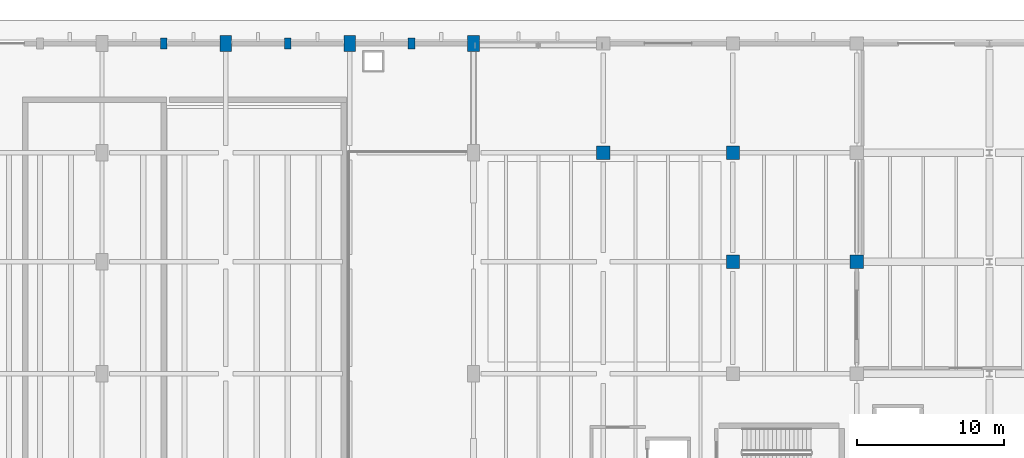
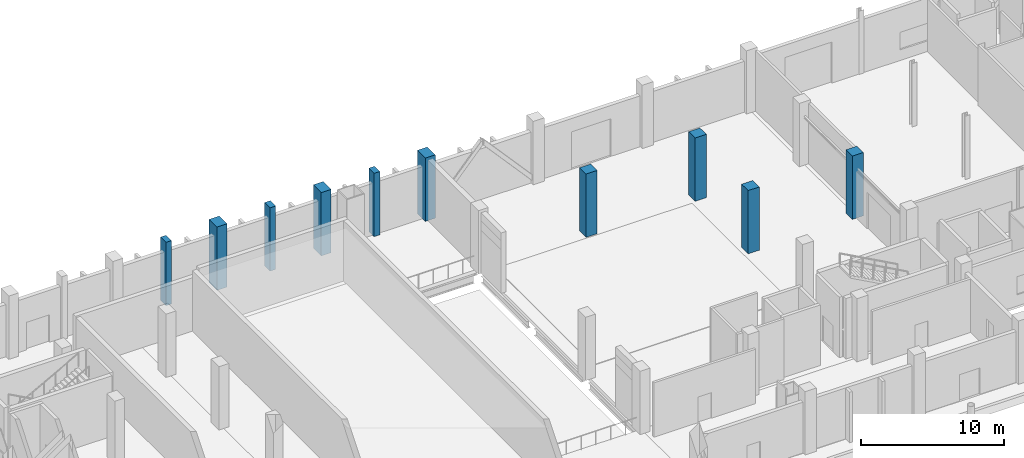
# One storey, part 14 of 95: 10 columns.
"""IFC4 building model written with IfcOpenShell, lengths in metres."""

from ifc_helpers import new_model, si_unit, direction, frame, origin, origin_2d, place, context, subcontext, project, spatial, rectangle, extrude, material, material_profile, profile_set, type_object, element, save


model = new_model("IFC4")

# Units and contexts
model_context = context("Model", 3, precision=1e-05, world=origin(), true_north=direction((0.0, 1.0)))
body_context = subcontext(model_context, "Body", "Model", "MODEL_VIEW")
ifc_project = project(units=[si_unit("LENGTHUNIT", "METRE"), si_unit("AREAUNIT", "SQUARE_METRE"), si_unit("VOLUMEUNIT", "CUBIC_METRE"), si_unit("PLANEANGLEUNIT", "RADIAN"), si_unit("MASSUNIT", "GRAM", prefix="KILO")], contexts=[model_context])

# Site, building, storey
site_placement = place(None, origin())
site = spatial("IfcSite", under=ifc_project, at=site_placement, CompositionType="ELEMENT")
building_placement = place(site_placement, origin())
building = spatial("IfcBuilding", under=site, at=building_placement, Name="Shengluoqiao Park Theatre", CompositionType="ELEMENT")
storey_placement = place(building_placement, origin())
storey = spatial("IfcBuildingStorey", under=building, at=storey_placement, Name="L00", CompositionType="ELEMENT", Elevation=0.0)

# Columns
ifc_material = material(Name="Concrete C50", Category="concrete")
ifc_material_profile_1 = material_profile(ifc_material, rectangle(XDim=0.449951171875, YDim=0.75, at=origin_2d()), Name="RC PILASTER 450x750")
ifc_profile_set_1 = profile_set([ifc_material_profile_1], Name="Concrete C50")
column_type_1 = type_object("IfcColumnType", Name="STR-COL-C-PIL4575", PredefinedType="PILASTER", material=ifc_profile_set_1)
for number, where, z_axis, x_axis, name in (
    (1, (65.39990234375, 114.0, 0.0), (0.0, 0.0, 1.0), (1.0, 0.0, 0.0), "L00 Column 0347"),
    (2, (73.800048828125, 114.0, 0.0), (0.0, 0.0, 1.0), (1.0, 0.0, 0.0), "L00 Column 0379"),
    (3, (82.199951171875, 114.0, 0.0), (0.0, 0.0, 1.0), (1.0, 0.0, 0.0), "L00 Column 0411"),
):
    element("IfcColumn", number, at=place(storey_placement, frame(where, z_axis=z_axis, x_axis=x_axis)), inside=storey, type_object=column_type_1, Name=name, PredefinedType="PILASTER", context=body_context, shape_type="SweptSolid", body=[
        extrude(rectangle(XDim=0.449951171875, YDim=0.75, at=origin_2d()), origin(), (0.0, 0.0, 1.0), 5.39990234375),
    ])
ifc_material_profile_2 = material_profile(ifc_material, rectangle(XDim=0.800048828125, YDim=1.10009765625, at=origin_2d()), Name="RC 800x1100")
ifc_profile_set_2 = profile_set([ifc_material_profile_2], Name="Concrete C50")
column_type_2 = type_object("IfcColumnType", Name="STR-COL-C-RC8011", PredefinedType="COLUMN", material=ifc_profile_set_2)
for number, where, z_axis, x_axis, name in (
    (4, (69.60009765625, 114.0, 0.0), (0.0, 0.0, 1.0), (1.0, 0.0, 0.0), "L00 Column 0369"),
    (5, (78.0, 114.0, 0.0), (0.0, 0.0, 1.0), (1.0, 0.0, 0.0), "L00 Column 0401"),
    (6, (86.39990234375, 114.0, 0.0), (0.0, 0.0, 1.0), (1.0, 0.0, 0.0), "L00 Column 0451"),
):
    element("IfcColumn", number, at=place(storey_placement, frame(where, z_axis=z_axis, x_axis=x_axis)), inside=storey, type_object=column_type_2, Name=name, PredefinedType="COLUMN", context=body_context, shape_type="SweptSolid", body=[
        extrude(rectangle(XDim=0.800048828125, YDim=1.10009765625, at=origin_2d()), origin(), (0.0, 0.0, 1.0), 5.39990234375),
    ])
ifc_material_profile_3 = material_profile(ifc_material, rectangle(XDim=0.89990234375, YDim=0.89990234375, at=origin_2d()), Name="RC 900x900")
ifc_profile_set_3 = profile_set([ifc_material_profile_3], Name="Concrete C50")
column_type_3 = type_object("IfcColumnType", Name="STR-COL-C-RC900", PredefinedType="COLUMN", material=ifc_profile_set_3)
for number, where, z_axis, x_axis, name in (
    (7, (95.199951171875, 106.60009765625, 0.0), (0.0, 0.0, 1.0), (1.0, 0.0, 0.0), "L00 Column 0478"),
    (8, (104.0, 99.199951171875, 0.0), (0.0, 0.0, 1.0), (1.0, 0.0, 0.0), "L00 Column 0517"),
    (9, (104.0, 106.60009765625, 0.0), (0.0, 0.0, 1.0), (1.0, 0.0, 0.0), "L00 Column 0524"),
    (10, (112.39990234375, 99.199951171875, 0.0), (0.0, 0.0, 1.0), (1.0, 0.0, 0.0), "L00 Column 0563"),
):
    element("IfcColumn", number, at=place(storey_placement, frame(where, z_axis=z_axis, x_axis=x_axis)), inside=storey, type_object=column_type_3, Name=name, PredefinedType="COLUMN", context=body_context, shape_type="SweptSolid", body=[
        extrude(rectangle(XDim=0.89990234375, YDim=0.89990234375, at=origin_2d()), origin(), (0.0, 0.0, 1.0), 5.39990234375),
    ])

save(model, "model.ifc")
